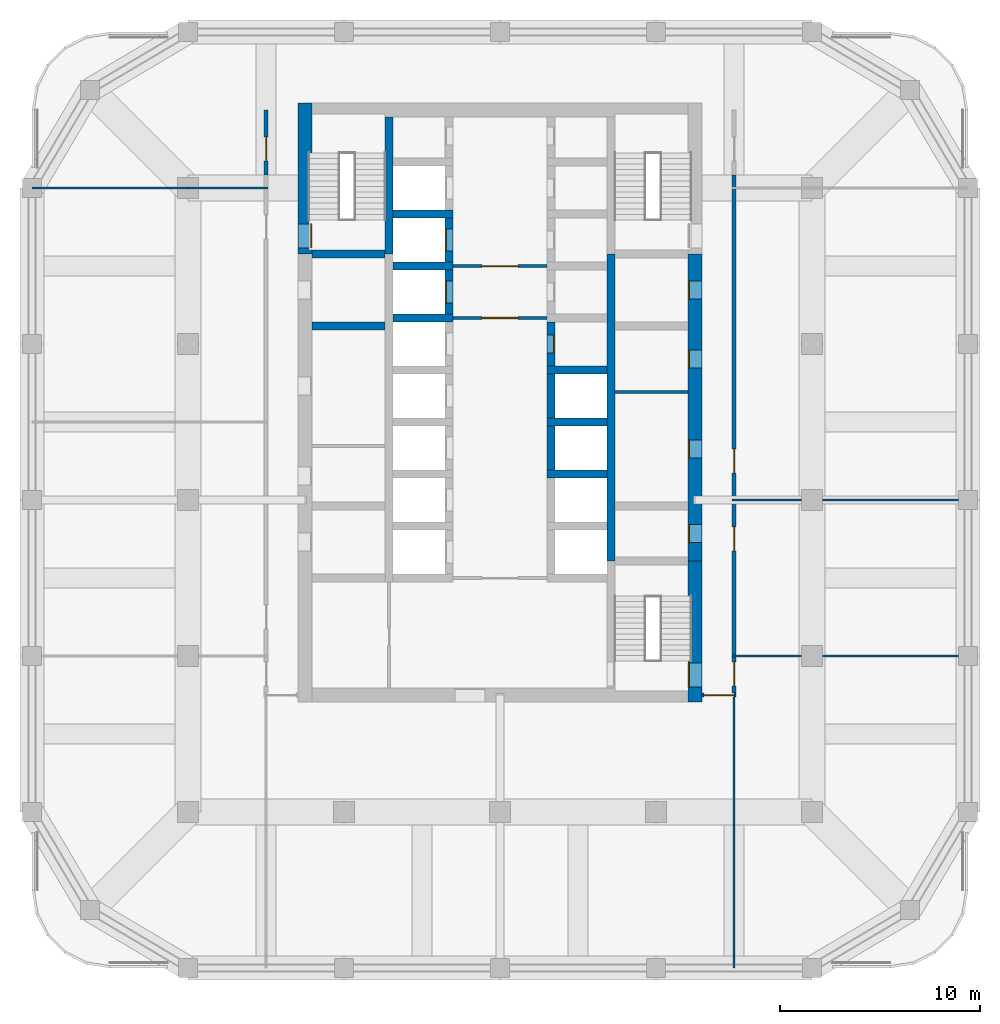
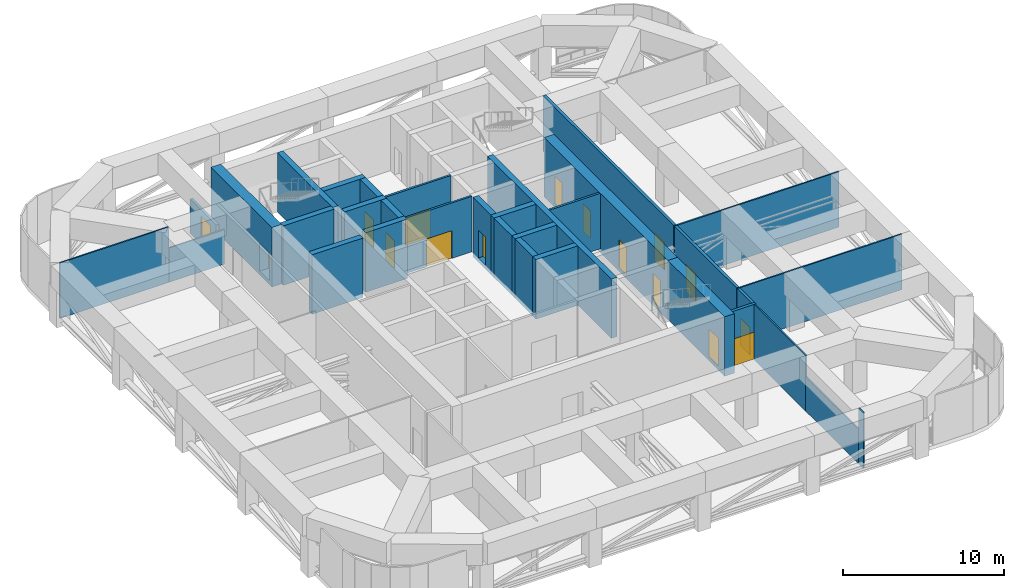
# One storey, part 4 of 9: 31 walls, 16 doors, 16 openings.
"""IFC4 building model written with IfcOpenShell, lengths in metres."""

import ifcopenshell
import ifcopenshell.guid

model = None  # the IFC model being written
_history = None  # IfcOwnerHistory: only IFC2X3 demands one
_inside = {}  # id of a spatial element -> (the spatial element, [elements in it])
_under = {}  # id of a project, library or spatial element -> (it, [spatial elements below it])
_declared = {}  # id of a project -> (the project, [libraries it declares])
_typed = {}  # id of a type object -> (the type object, [elements of that type])
_made_of = {}  # id of a material, layer set ... -> (it, [elements and type objects made of it])


def new_model(schema):
    """Start an empty IFC model of exactly this schema.

    Asked for "IFC4X3", IfcOpenShell would pick the latest addendum, in which some entities
    have other attributes; the version numbers below select the first issue.
    IFC2X3 requires an IfcOwnerHistory on every rooted entity: one is made here for all.
    """
    global model, _history
    if schema == "IFC4X3":
        model = ifcopenshell.file(schema_version=(4, 3, 0, 0))
    else:
        model = ifcopenshell.file(schema=schema)
    _inside.clear()
    _under.clear()
    _declared.clear()
    _typed.clear()
    _made_of.clear()
    _history = None
    if model.schema == "IFC2X3":
        org = make("IfcOrganization", Name="unknown")
        user = make(
            "IfcPersonAndOrganization",
            ThePerson=make("IfcPerson", FamilyName="unknown"),
            TheOrganization=org,
        )
        app = make(
            "IfcApplication",
            ApplicationDeveloper=org,
            Version="unknown",
            ApplicationFullName="unknown",
            ApplicationIdentifier="unknown",
        )
        _history = make(
            "IfcOwnerHistory",
            OwningUser=user,
            OwningApplication=app,
            ChangeAction="ADDED",
            CreationDate=0,
        )
    return model


def make(cls, **values):
    """One entity of the class cls with the attributes given. An attribute that is None is left unset."""
    return model.create_entity(
        cls, **{name: value for name, value in values.items() if value is not None}
    )


def rooted(cls, **values):
    """An entity with a GlobalId (a new one), such as an element, a storey or a relation."""
    return make(cls, GlobalId=ifcopenshell.guid.new(), OwnerHistory=_history, **values)


def si_unit(unit_type, name, prefix=None):
    """IfcSIUnit, for example si_unit("LENGTHUNIT", "METRE", prefix="MILLI")."""
    return make("IfcSIUnit", UnitType=unit_type, Prefix=prefix, Name=name)


def assignment(units):
    """IfcUnitAssignment: the units of a project."""
    return None if units is None else make("IfcUnitAssignment", Units=units)


def point(xyz):
    """IfcCartesianPoint."""
    return None if xyz is None else make("IfcCartesianPoint", Coordinates=xyz)


def direction(xyz):
    """IfcDirection."""
    return None if xyz is None else make("IfcDirection", DirectionRatios=xyz)


def frame(location, z_axis=None, x_axis=None):
    """IfcAxis2Placement3D, a coordinate frame: its origin and axes. An axis left out is left unset."""
    return make(
        "IfcAxis2Placement3D",
        Location=point(location),
        Axis=direction(z_axis),
        RefDirection=direction(x_axis),
    )


def frame_2d(location, x_axis=None):
    """IfcAxis2Placement2D, a coordinate frame in the plane: its origin and x axis."""
    return make(
        "IfcAxis2Placement2D", Location=point(location), RefDirection=direction(x_axis)
    )


def origin():
    """The frame at (0, 0, 0) with its axes left unset."""
    return frame((0.0, 0.0, 0.0))


def place(relative_to, where):
    """IfcLocalPlacement: puts the frame where relative to a parent placement (None: the world)."""
    return make(
        "IfcLocalPlacement", PlacementRelTo=relative_to, RelativePlacement=where
    )


def context(
    kind, dimensions, precision=None, world=None, true_north=None, identifier=None
):
    """IfcGeometricRepresentationContext, for example the 3D "Model" context."""
    return make(
        "IfcGeometricRepresentationContext",
        ContextIdentifier=identifier,
        ContextType=kind,
        CoordinateSpaceDimension=dimensions,
        Precision=precision,
        WorldCoordinateSystem=world,
        TrueNorth=true_north,
    )


def subcontext(parent, identifier, kind, view, scale=None):
    """IfcGeometricRepresentationSubContext, for example "Body" below "Model"."""
    return make(
        "IfcGeometricRepresentationSubContext",
        ContextIdentifier=identifier,
        ContextType=kind,
        ParentContext=parent,
        TargetScale=scale,
        TargetView=view,
    )


def project(units=None, contexts=None):
    """IfcProject with its units and contexts."""
    return rooted(
        "IfcProject",
        Name="project",
        RepresentationContexts=contexts,
        UnitsInContext=assignment(units),
    )


def spatial(cls, under=None, at=None, **own):
    """A site, building, storey or space (cls), placed at a placement, below another one or the project."""
    s = rooted(cls, ObjectPlacement=at, **own)
    if under is not None:
        _under.setdefault(under.id(), (under, []))[1].append(s)
    return s


def profile(cls, at=None, kind="AREA", **sizes):
    """A parametric profile (cls). Its sizes go by their IFC names, for example OverallWidth=200.0."""
    return make(cls, ProfileType=kind, Position=at, **sizes)


def rectangle(**sizes):
    """IfcRectangleProfileDef."""
    return profile("IfcRectangleProfileDef", **sizes)


def extrude(swept, where, along, depth):
    """IfcExtrudedAreaSolid: the profile swept, set in the frame where, extruded along a direction by depth."""
    return make(
        "IfcExtrudedAreaSolid",
        SweptArea=swept,
        Position=where,
        ExtrudedDirection=direction(along),
        Depth=depth,
    )


def shape(context_of_items, identifier, shape_type, items):
    """IfcShapeRepresentation: the items that make up one representation, for example the "Body"."""
    return make(
        "IfcShapeRepresentation",
        ContextOfItems=context_of_items,
        RepresentationIdentifier=identifier,
        RepresentationType=shape_type,
        Items=items,
    )


def material(Name=None, Category=None):
    """IfcMaterial."""
    return make("IfcMaterial", Name=Name, Category=Category)


def layer(
    of_material, thickness, ventilated=None, Name=None, Category=None, Priority=None
):
    """IfcMaterialLayer: one layer of a wall or slab, of a material (None: an air gap)."""
    return make(
        "IfcMaterialLayer",
        Material=of_material,
        LayerThickness=thickness,
        IsVentilated=ventilated,
        Name=Name,
        Category=Category,
        Priority=Priority,
    )


def layer_set(layers, Name=None):
    """IfcMaterialLayerSet."""
    return make("IfcMaterialLayerSet", MaterialLayers=layers, LayerSetName=Name)


def made_of(thing, what):
    """Note that an element or type object is made of a material, layer set ...; save() writes the relation."""
    if what is not None:
        _made_of.setdefault(what.id(), (what, []))[1].append(thing)
    return thing


def type_object(cls, material=None, **own):
    """A type object (cls), such as IfcWallType, which elements share."""
    return made_of(rooted(cls, **own), material)


def element(
    cls,
    number,
    at=None,
    inside=None,
    cuts=None,
    type_object=None,
    material=None,
    context=None,
    identifier="Body",
    shape_type=None,
    held_by="IfcProductDefinitionShape",
    body=None,
    shapes=None,
    **own,
):
    """One element of the class cls, such as IfcWall. Its Tag is "e" and its number.

    at: its placement. inside: the storey or other place that contains it. cuts: it is an
    opening in that element (IfcRelVoidsElement). A single representation is given by context,
    identifier, shape_type and body (its items); several are given by shapes. held_by: the class
    of the entity that holds the representations. save() writes the other relations.
    """
    e = rooted(cls, Tag="e%d" % number, ObjectPlacement=at, **own)
    if body is not None:
        shapes = [shape(context, identifier, shape_type, body)]
    if shapes is not None:
        e.Representation = make(held_by, Representations=shapes)
    if inside is not None:
        _inside.setdefault(inside.id(), (inside, []))[1].append(e)
    if cuts is not None:
        rooted(
            "IfcRelVoidsElement", RelatingBuildingElement=cuts, RelatedOpeningElement=e
        )
    if type_object is not None:
        _typed.setdefault(type_object.id(), (type_object, []))[1].append(e)
    return made_of(e, material)


def fill(opening, filler):
    """IfcRelFillsElement: the door or window that sits in an opening."""
    return rooted(
        "IfcRelFillsElement",
        RelatingOpeningElement=opening,
        RelatedBuildingElement=filler,
    )


def aggregate(whole, parts):
    """IfcRelAggregates: a whole, such as a stair, and the parts it consists of."""
    return rooted("IfcRelAggregates", RelatingObject=whole, RelatedObjects=parts)


def save(model, path):
    """Write the relations noted so far, then the file.

    IfcRelAggregates (storeys below a building ...), IfcRelContainedInSpatialStructure (elements
    in a storey), IfcRelDefinesByType, IfcRelAssociatesMaterial and IfcRelDeclares: one each for
    every whole, place, type object, material and project.
    """
    for whole, parts in _under.values():
        aggregate(whole, parts)
    for where, things in _inside.values():
        rooted(
            "IfcRelContainedInSpatialStructure",
            RelatedElements=things,
            RelatingStructure=where,
        )
    for kind, things in _typed.values():
        rooted("IfcRelDefinesByType", RelatedObjects=things, RelatingType=kind)
    for what, things in _made_of.values():
        rooted("IfcRelAssociatesMaterial", RelatedObjects=things, RelatingMaterial=what)
    for by, libraries in _declared.values():
        rooted("IfcRelDeclares", RelatingContext=by, RelatedDefinitions=libraries)
    model.write(path)


model = new_model("IFC4")

# Units and contexts
model_context = context("Model", 3, precision=1e-05, world=origin(), true_north=direction((0.0, 1.0)))
body_context = subcontext(model_context, "Body", "Model", "MODEL_VIEW")
ifc_project = project(units=[si_unit("LENGTHUNIT", "METRE"), si_unit("AREAUNIT", "SQUARE_METRE"), si_unit("VOLUMEUNIT", "CUBIC_METRE"), si_unit("PLANEANGLEUNIT", "RADIAN"), si_unit("MASSUNIT", "GRAM", prefix="KILO")], contexts=[model_context])

# Site, building, storey
site_placement = place(None, origin())
site = spatial("IfcSite", under=ifc_project, at=site_placement, CompositionType="ELEMENT")
building_placement = place(site_placement, origin())
building = spatial("IfcBuilding", under=site, at=building_placement, Name="Ludao Terraces", CompositionType="ELEMENT")
storey_placement = place(building_placement, frame((0.0, 0.0, 95.39990234375)))
storey = spatial("IfcBuildingStorey", under=building, at=storey_placement, Name="L26", CompositionType="ELEMENT", Elevation=95.39990234375)

# Wall, opening, door
ifc_material_1 = material(Name="Concrete C70", Category="concrete")
ifc_layer_1 = layer(ifc_material_1, 0.699951171875)
ifc_layer_set_1 = layer_set([ifc_layer_1], Name="Core wall 700 C70")
wall_type_1 = type_object("IfcWallType", Name="Core wall 700 C70", PredefinedType="SOLIDWALL", material=ifc_layer_set_1)
wall_1_placement = place(storey_placement, frame((75.25, 77.300048828125, -0.2998046875), z_axis=(0.0, 0.0, 1.0), x_axis=(0.0, 1.0, 0.0)))
wall_1 = element("IfcWall", 1, at=wall_1_placement, inside=storey, type_object=wall_type_1, Name="Core wall L26 outer-W-S1", PredefinedType="SOLIDWALL", context=body_context, shape_type="SweptSolid", body=[
    extrude(rectangle(XDim=7.550048828125, YDim=0.699951171875, at=frame_2d((3.77490234375, 0.0))), origin(), (0.0, 0.0, 1.0), 4.5),
])
opening_1_placement = place(wall_1_placement, frame((0.300048828125, 0.0, 0.300048828125)))
opening_1 = element("IfcOpeningElement", 2, at=opening_1_placement, cuts=wall_1, Name="Opening L26-033", PredefinedType="OPENING", context=body_context, shape_type="SweptSolid", body=[
    extrude(rectangle(XDim=1.199951171875, YDim=2.10009765625, at=frame_2d((0.60009765625, 1.050048828125))), frame((0.0, 0.35986328125, 0.0), z_axis=(0.0, -1.0, 0.0), x_axis=(1.0, 0.0, 0.0)), (0.0, 0.0, 1.0), 0.719970703125),
])
ifc_material_2 = material(Name="Steel Q235", Category="steel")
door_type_1 = type_object("IfcDoorType", Name="INT Stair door 1200", OperationType="DOUBLE_DOOR_SINGLE_SWING", PredefinedType="DOOR", material=ifc_material_2)
door_1_placement = place(opening_1_placement, origin())
door_1 = element("IfcDoor", 3, at=door_1_placement, inside=storey, type_object=door_type_1, Name="DOOR 033", OperationType="DOUBLE_DOOR_SINGLE_SWING", OverallHeight=2.10009765625, OverallWidth=1.199951171875, PredefinedType="DOOR", context=body_context, shape_type="SweptSolid", body=[
    extrude(rectangle(XDim=1.199951171875, YDim=2.10009765625, at=frame_2d((0.60009765625, 1.050048828125))), frame((0.0, -0.28515625, 0.0), z_axis=(0.0, -1.0, 0.0), x_axis=(1.0, 0.0, 0.0)), (0.0, 0.0, 1.0), 0.050048828125),
])
fill(opening_1, door_1)

wall_2_placement = place(storey_placement, frame((94.75, 54.89990234375, -0.2998046875), z_axis=(0.0, 0.0, 1.0), x_axis=(0.0, 1.0, 0.0)))
wall_2 = element("IfcWall", 4, at=wall_2_placement, inside=storey, type_object=wall_type_1, Name="Core wall L26 outer-E-S3", PredefinedType="SOLIDWALL", context=body_context, shape_type="SweptSolid", body=[
    extrude(rectangle(XDim=7.050048828125, YDim=0.699951171875, at=frame_2d((3.52490234375, 0.0))), origin(), (0.0, 0.0, 1.0), 4.5),
])
opening_2_placement = place(wall_2_placement, frame((0.75, 0.0, 0.300048828125)))
opening_2 = element("IfcOpeningElement", 5, at=opening_2_placement, cuts=wall_2, Name="Opening L26-005", PredefinedType="OPENING", context=body_context, shape_type="SweptSolid", body=[
    extrude(rectangle(XDim=1.199951171875, YDim=2.10009765625, at=frame_2d((0.60009765625, 1.050048828125))), frame((0.0, 0.35986328125, 0.0), z_axis=(0.0, -1.0, 0.0), x_axis=(1.0, 0.0, 0.0)), (0.0, 0.0, 1.0), 0.719970703125),
])
door_2_placement = place(opening_2_placement, origin())
door_2 = element("IfcDoor", 6, at=door_2_placement, inside=storey, type_object=door_type_1, Name="DOOR 005", OperationType="DOUBLE_DOOR_SINGLE_SWING", OverallHeight=2.10009765625, OverallWidth=1.199951171875, PredefinedType="DOOR", context=body_context, shape_type="SweptSolid", body=[
    extrude(rectangle(XDim=1.199951171875, YDim=2.10009765625, at=frame_2d((0.60009765625, 1.050048828125))), frame((0.0, 0.3349609375, 0.0), z_axis=(0.0, -1.0, 0.0), x_axis=(1.0, 0.0, 0.0)), (0.0, 0.0, 1.0), 0.050048828125),
])
fill(opening_2, door_2)

# Wall, openings, doors
wall_3_placement = place(storey_placement, frame((94.75, 61.949951171875, -0.2998046875), z_axis=(0.0, 0.0, 1.0), x_axis=(0.0, 1.0, 0.0)))
wall_3 = element("IfcWall", 7, at=wall_3_placement, inside=storey, type_object=wall_type_1, Name="Core wall L26 outer-E", PredefinedType="SOLIDWALL", context=body_context, shape_type="SweptSolid", body=[
    extrude(rectangle(XDim=15.35009765625, YDim=0.699951171875, at=frame_2d((7.675048828125, 0.0))), origin(), (0.0, 0.0, 1.0), 4.5),
])
opening_3_placement = place(wall_3_placement, frame((0.925048828125, 0.0, 0.300048828125)))
opening_3 = element("IfcOpeningElement", 8, at=opening_3_placement, cuts=wall_3, Name="Opening L26-014", PredefinedType="OPENING", context=body_context, shape_type="SweptSolid", body=[
    extrude(rectangle(XDim=0.89990234375, YDim=2.10009765625, at=frame_2d((0.449951171875, 1.050048828125))), frame((0.0, 0.35986328125, 0.0), z_axis=(0.0, -1.0, 0.0), x_axis=(1.0, 0.0, 0.0)), (0.0, 0.0, 1.0), 0.719970703125),
])
opening_4_placement = place(wall_3_placement, frame((5.14990234375, 0.0, 0.300048828125)))
opening_4 = element("IfcOpeningElement", 9, at=opening_4_placement, cuts=wall_3, Name="Opening L26-018", PredefinedType="OPENING", context=body_context, shape_type="SweptSolid", body=[
    extrude(rectangle(XDim=0.89990234375, YDim=2.10009765625, at=frame_2d((0.449951171875, 1.050048828125))), frame((0.0, 0.35986328125, 0.0), z_axis=(0.0, -1.0, 0.0), x_axis=(1.0, 0.0, 0.0)), (0.0, 0.0, 1.0), 0.719970703125),
])
opening_5_placement = place(wall_3_placement, frame((9.64990234375, 0.0, 0.300048828125)))
opening_5 = element("IfcOpeningElement", 10, at=opening_5_placement, cuts=wall_3, Name="Opening L26-022", PredefinedType="OPENING", context=body_context, shape_type="SweptSolid", body=[
    extrude(rectangle(XDim=0.89990234375, YDim=2.10009765625, at=frame_2d((0.449951171875, 1.050048828125))), frame((0.0, 0.35986328125, 0.0), z_axis=(0.0, -1.0, 0.0), x_axis=(1.0, 0.0, 0.0)), (0.0, 0.0, 1.0), 0.719970703125),
])
opening_6_placement = place(wall_3_placement, frame((13.10009765625, 0.0, 0.300048828125)))
opening_6 = element("IfcOpeningElement", 11, at=opening_6_placement, cuts=wall_3, Name="Opening L26-029", PredefinedType="OPENING", context=body_context, shape_type="SweptSolid", body=[
    extrude(rectangle(XDim=0.89990234375, YDim=2.10009765625, at=frame_2d((0.449951171875, 1.050048828125))), frame((0.0, 0.35986328125, 0.0), z_axis=(0.0, -1.0, 0.0), x_axis=(1.0, 0.0, 0.0)), (0.0, 0.0, 1.0), 0.719970703125),
])
door_type_2 = type_object("IfcDoorType", Name="INT Riser door 900", OperationType="SINGLE_SWING_LEFT", PredefinedType="DOOR", material=ifc_material_2)
door_3_placement = place(opening_3_placement, origin())
door_3 = element("IfcDoor", 12, at=door_3_placement, inside=storey, type_object=door_type_2, Name="DOOR 014", OperationType="SINGLE_SWING_LEFT", OverallHeight=2.10009765625, OverallWidth=0.89990234375, PredefinedType="DOOR", context=body_context, shape_type="SweptSolid", body=[
    extrude(rectangle(XDim=0.89990234375, YDim=2.10009765625, at=frame_2d((0.449951171875, 1.050048828125))), frame((0.0, 0.3349609375, 0.0), z_axis=(0.0, -1.0, 0.0), x_axis=(1.0, 0.0, 0.0)), (0.0, 0.0, 1.0), 0.050048828125),
])
fill(opening_3, door_3)
door_4_placement = place(opening_6_placement, origin())
door_4 = element("IfcDoor", 13, at=door_4_placement, inside=storey, type_object=door_type_2, Name="DOOR 029", OperationType="SINGLE_SWING_LEFT", OverallHeight=2.10009765625, OverallWidth=0.89990234375, PredefinedType="DOOR", context=body_context, shape_type="SweptSolid", body=[
    extrude(rectangle(XDim=0.89990234375, YDim=2.10009765625, at=frame_2d((0.449951171875, 1.050048828125))), frame((0.0, 0.3349609375, 0.0), z_axis=(0.0, -1.0, 0.0), x_axis=(1.0, 0.0, 0.0)), (0.0, 0.0, 1.0), 0.050048828125),
])
fill(opening_6, door_4)
ifc_material_3 = material(Name="Timber door leaf", Category="wood")
door_type_3 = type_object("IfcDoorType", Name="INT Room door 900", OperationType="SINGLE_SWING_LEFT", PredefinedType="DOOR", material=ifc_material_3)
door_5_placement = place(opening_4_placement, origin())
door_5 = element("IfcDoor", 14, at=door_5_placement, inside=storey, type_object=door_type_3, Name="DOOR 018", OperationType="SINGLE_SWING_LEFT", OverallHeight=2.10009765625, OverallWidth=0.89990234375, PredefinedType="DOOR", context=body_context, shape_type="SweptSolid", body=[
    extrude(rectangle(XDim=0.89990234375, YDim=2.10009765625, at=frame_2d((0.449951171875, 1.050048828125))), frame((0.0, 0.3349609375, 0.0), z_axis=(0.0, -1.0, 0.0), x_axis=(1.0, 0.0, 0.0)), (0.0, 0.0, 1.0), 0.050048828125),
])
fill(opening_4, door_5)
door_6_placement = place(opening_5_placement, origin())
door_6 = element("IfcDoor", 15, at=door_6_placement, inside=storey, type_object=door_type_3, Name="DOOR 022", OperationType="SINGLE_SWING_RIGHT", OverallHeight=2.10009765625, OverallWidth=0.89990234375, PredefinedType="DOOR", context=body_context, shape_type="SweptSolid", body=[
    extrude(rectangle(XDim=0.89990234375, YDim=2.10009765625, at=frame_2d((0.449951171875, 1.050048828125))), frame((0.0, 0.3349609375, 0.0), z_axis=(0.0, -1.0, 0.0), x_axis=(1.0, 0.0, 0.0)), (0.0, 0.0, 1.0), 0.050048828125),
])
fill(opening_5, door_6)

# Wall
ifc_material_4 = material(Name="Fire-rated gypsum plasterboard", Category="gypsum")
ifc_layer_2 = layer(ifc_material_4, 0.012451171875, Category="gypsum")
ifc_material_5 = material(Name="Mineral wool")
ifc_layer_3 = layer(ifc_material_5, 0.10009765625, Name="insulation")
ifc_layer_4 = layer(ifc_material_2, 0.02490234375, Name="stud")
ifc_layer_5 = layer(ifc_material_4, 0.012451171875, Category="gypsum")
ifc_layer_set_2 = layer_set([ifc_layer_2, ifc_layer_3, ifc_layer_4, ifc_layer_5], Name="INT Core partition 150")
wall_type_2 = type_object("IfcWallType", Name="INT Core partition 150", PredefinedType="PARTITIONING", material=ifc_layer_set_2)
wall_4_placement = place(storey_placement, frame((90.75, 70.39990234375, 0.0), z_axis=(0.0, 0.0, 1.0), x_axis=(1.0, 0.0, 0.0)))
element("IfcWall", 16, at=wall_4_placement, inside=storey, type_object=wall_type_2, Name="PW-L26-PW008", PredefinedType="PARTITIONING", context=body_context, shape_type="SweptSolid", body=[
    extrude(rectangle(XDim=3.650146484375, YDim=0.14990234375, at=frame_2d((1.8251953125, 0.0))), origin(), (0.0, 0.0, 1.0), 4.2001953125),
])

# Wall, opening, door
wall_5_placement = place(storey_placement, frame((82.650146484375, 74.10009765625, 0.0), z_axis=(0.0, 0.0, 1.0), x_axis=(1.0, 0.0, 0.0)))
wall_5 = element("IfcWall", 17, at=wall_5_placement, inside=storey, type_object=wall_type_2, Name="PW-L26-PW009", PredefinedType="PARTITIONING", context=body_context, shape_type="SweptSolid", body=[
    extrude(rectangle(XDim=4.699951171875, YDim=0.14990234375, at=frame_2d((2.35009765625, 0.0))), origin(), (0.0, 0.0, 1.0), 4.2001953125),
])
opening_7_placement = place(wall_5_placement, frame((1.449951171875, 0.0, 0.0)))
opening_7 = element("IfcOpeningElement", 18, at=opening_7_placement, cuts=wall_5, Name="Opening L26-025", PredefinedType="OPENING", context=body_context, shape_type="SweptSolid", body=[
    extrude(rectangle(XDim=1.800048828125, YDim=2.10009765625, at=frame_2d((0.89990234375, 1.050048828125))), frame((0.0, 0.0849609375, 0.0), z_axis=(0.0, -1.0, 0.0), x_axis=(1.0, 0.0, 0.0)), (0.0, 0.0, 1.0), 0.169921875),
])
door_type_4 = type_object("IfcDoorType", Name="INT Fire lobby door 1800", OperationType="DOUBLE_DOOR_SINGLE_SWING", PredefinedType="DOOR", material=ifc_material_2)
door_7_placement = place(opening_7_placement, origin())
door_7 = element("IfcDoor", 19, at=door_7_placement, inside=storey, type_object=door_type_4, Name="DOOR 025", OperationType="DOUBLE_DOOR_SINGLE_SWING", OverallHeight=2.10009765625, OverallWidth=1.800048828125, PredefinedType="DOOR", context=body_context, shape_type="SweptSolid", body=[
    extrude(rectangle(XDim=1.800048828125, YDim=2.10009765625, at=frame_2d((0.89990234375, 1.050048828125))), frame((0.0, 0.02490234375, 0.0), z_axis=(0.0, -1.0, 0.0), x_axis=(1.0, 0.0, 0.0)), (0.0, 0.0, 1.0), 0.050048828125),
])
fill(opening_7, door_7)

wall_6_placement = place(storey_placement, frame((82.650146484375, 76.699951171875, 0.0), z_axis=(0.0, 0.0, 1.0), x_axis=(1.0, 0.0, 0.0)))
wall_6 = element("IfcWall", 20, at=wall_6_placement, inside=storey, type_object=wall_type_2, Name="PW-L26-PW010", PredefinedType="PARTITIONING", context=body_context, shape_type="SweptSolid", body=[
    extrude(rectangle(XDim=4.699951171875, YDim=0.14990234375, at=frame_2d((2.35009765625, 0.0))), origin(), (0.0, 0.0, 1.0), 4.2001953125),
])
opening_8_placement = place(wall_6_placement, frame((1.449951171875, 0.0, 0.0)))
opening_8 = element("IfcOpeningElement", 21, at=opening_8_placement, cuts=wall_6, Name="Opening L26-030", PredefinedType="OPENING", context=body_context, shape_type="SweptSolid", body=[
    extrude(rectangle(XDim=1.800048828125, YDim=2.10009765625, at=frame_2d((0.89990234375, 1.050048828125))), frame((0.0, 0.0849609375, 0.0), z_axis=(0.0, -1.0, 0.0), x_axis=(1.0, 0.0, 0.0)), (0.0, 0.0, 1.0), 0.169921875),
])
door_8_placement = place(opening_8_placement, origin())
door_8 = element("IfcDoor", 22, at=door_8_placement, inside=storey, type_object=door_type_4, Name="DOOR 030", OperationType="DOUBLE_DOOR_SINGLE_SWING", OverallHeight=2.10009765625, OverallWidth=1.800048828125, PredefinedType="DOOR", context=body_context, shape_type="SweptSolid", body=[
    extrude(rectangle(XDim=1.800048828125, YDim=2.10009765625, at=frame_2d((0.89990234375, 1.050048828125))), frame((0.0, 0.02490234375, 0.0), z_axis=(0.0, -1.0, 0.0), x_axis=(1.0, 0.0, 0.0)), (0.0, 0.0, 1.0), 0.050048828125),
])
fill(opening_8, door_8)

ifc_material_6 = material(Name="Autoclaved aerated concrete block B06 A3.5", Category="concrete")
ifc_layer_6 = layer(ifc_material_6, 0.199951171875)
ifc_layer_set_3 = layer_set([ifc_layer_6], Name="INT Entrance wall 200")
wall_type_3 = type_object("IfcWallType", Name="INT Entrance wall 200", PredefinedType="PARTITIONING", material=ifc_layer_set_3)
wall_7_placement = place(storey_placement, frame((95.10009765625, 55.25, 0.0), z_axis=(0.0, 0.0, 1.0), x_axis=(1.0, 0.0, 0.0)))
wall_7 = element("IfcWall", 23, at=wall_7_placement, inside=storey, type_object=wall_type_3, Name="PW-L26-PW001", PredefinedType="PARTITIONING", context=body_context, shape_type="SweptSolid", body=[
    extrude(rectangle(XDim=1.699951171875, YDim=0.199951171875, at=frame_2d((0.85009765625, 0.0))), origin(), (0.0, 0.0, 1.0), 4.2001953125),
])
opening_9_placement = place(wall_7_placement, frame((0.10009765625, 0.0, 0.0)))
opening_9 = element("IfcOpeningElement", 24, at=opening_9_placement, cuts=wall_7, Name="Opening L26-003", PredefinedType="OPENING", context=body_context, shape_type="SweptSolid", body=[
    extrude(rectangle(XDim=1.5, YDim=2.10009765625, at=frame_2d((0.75, 1.050048828125))), frame((0.0, 0.10986328125, 0.0), z_axis=(0.0, -1.0, 0.0), x_axis=(1.0, 0.0, 0.0)), (0.0, 0.0, 1.0), 0.219970703125),
])
door_type_5 = type_object("IfcDoorType", Name="INT Lobby door 1500", OperationType="DOUBLE_DOOR_SINGLE_SWING", PredefinedType="DOOR", material=ifc_material_2)
door_9_placement = place(opening_9_placement, origin())
door_9 = element("IfcDoor", 25, at=door_9_placement, inside=storey, type_object=door_type_5, Name="DOOR 003", OperationType="DOUBLE_DOOR_SINGLE_SWING", OverallHeight=2.10009765625, OverallWidth=1.5, PredefinedType="DOOR", context=body_context, shape_type="SweptSolid", body=[
    extrude(rectangle(XDim=1.5, YDim=2.10009765625, at=frame_2d((0.75, 1.050048828125))), frame((0.0, 0.02490234375, 0.0), z_axis=(0.0, -1.0, 0.0), x_axis=(1.0, 0.0, 0.0)), (0.0, 0.0, 1.0), 0.050048828125),
])
fill(opening_9, door_9)

wall_8_placement = place(storey_placement, frame((73.300048828125, 81.25, 0.0), z_axis=(0.0, 0.0, 1.0), x_axis=(0.0, 1.0, 0.0)))
wall_8 = element("IfcWall", 26, at=wall_8_placement, inside=storey, type_object=wall_type_3, Name="PW-L26-PW014-2", PredefinedType="PARTITIONING", context=body_context, shape_type="SweptSolid", body=[
    extrude(rectangle(XDim=3.25, YDim=0.199951171875, at=frame_2d((1.625, 0.0))), origin(), (0.0, 0.0, 1.0), 2.60009765625),
])
opening_10_placement = place(wall_8_placement, frame((0.7001953125, 0.0, 0.0)))
opening_10 = element("IfcOpeningElement", 27, at=opening_10_placement, cuts=wall_8, Name="Opening L26-038", PredefinedType="OPENING", context=body_context, shape_type="SweptSolid", body=[
    extrude(rectangle(XDim=1.199951171875, YDim=2.10009765625, at=frame_2d((0.60009765625, 1.050048828125))), frame((0.0, 0.10986328125, 0.0), z_axis=(0.0, -1.0, 0.0), x_axis=(1.0, 0.0, 0.0)), (0.0, 0.0, 1.0), 0.219970703125),
])
door_type_6 = type_object("IfcDoorType", Name="INT Double door 1200", OperationType="DOUBLE_DOOR_SINGLE_SWING", PredefinedType="DOOR", material=ifc_material_3)
door_10_placement = place(opening_10_placement, origin())
door_10 = element("IfcDoor", 28, at=door_10_placement, inside=storey, type_object=door_type_6, Name="DOOR 038", OperationType="DOUBLE_DOOR_SINGLE_SWING", OverallHeight=2.10009765625, OverallWidth=1.199951171875, PredefinedType="DOOR", context=body_context, shape_type="SweptSolid", body=[
    extrude(rectangle(XDim=1.199951171875, YDim=2.10009765625, at=frame_2d((0.60009765625, 1.050048828125))), frame((0.0, 0.02490234375, 0.0), z_axis=(0.0, -1.0, 0.0), x_axis=(1.0, 0.0, 0.0)), (0.0, 0.0, 1.0), 0.050048828125),
])
fill(opening_10, door_10)

# Wall, openings, doors
wall_9_placement = place(storey_placement, frame((96.699951171875, 55.35009765625, 0.0), z_axis=(0.0, 0.0, 1.0), x_axis=(0.0, 1.0, 0.0)))
wall_9 = element("IfcWall", 29, at=wall_9_placement, inside=storey, type_object=wall_type_3, Name="PW-L26-PW017", PredefinedType="PARTITIONING", context=body_context, shape_type="SweptSolid", body=[
    extrude(rectangle(XDim=25.89990234375, YDim=0.199951171875, at=frame_2d((12.949951171875, 0.0))), origin(), (0.0, 0.0, 1.0), 4.2001953125),
])
opening_11_placement = place(wall_9_placement, frame((0.35009765625, 0.0, 0.0)))
opening_11 = element("IfcOpeningElement", 30, at=opening_11_placement, cuts=wall_9, Name="Opening L26-007", PredefinedType="OPENING", context=body_context, shape_type="SweptSolid", body=[
    extrude(rectangle(XDim=1.199951171875, YDim=2.10009765625, at=frame_2d((0.60009765625, 1.050048828125))), frame((0.0, 0.10986328125, 0.0), z_axis=(0.0, -1.0, 0.0), x_axis=(1.0, 0.0, 0.0)), (0.0, 0.0, 1.0), 0.219970703125),
])
opening_12_placement = place(wall_9_placement, frame((7.10009765625, 0.0, 0.0)))
opening_12 = element("IfcOpeningElement", 31, at=opening_12_placement, cuts=wall_9, Name="Opening L26-013", PredefinedType="OPENING", context=body_context, shape_type="SweptSolid", body=[
    extrude(rectangle(XDim=1.199951171875, YDim=2.10009765625, at=frame_2d((0.60009765625, 1.050048828125))), frame((0.0, 0.10986328125, 0.0), z_axis=(0.0, -1.0, 0.0), x_axis=(1.0, 0.0, 0.0)), (0.0, 0.0, 1.0), 0.219970703125),
])
opening_13_placement = place(wall_9_placement, frame((11.0, 0.0, 0.0)))
opening_13 = element("IfcOpeningElement", 32, at=opening_13_placement, cuts=wall_9, Name="Opening L26-017", PredefinedType="OPENING", context=body_context, shape_type="SweptSolid", body=[
    extrude(rectangle(XDim=1.199951171875, YDim=2.10009765625, at=frame_2d((0.60009765625, 1.050048828125))), frame((0.0, 0.10986328125, 0.0), z_axis=(0.0, -1.0, 0.0), x_axis=(1.0, 0.0, 0.0)), (0.0, 0.0, 1.0), 0.219970703125),
])
door_11_placement = place(opening_11_placement, origin())
door_11 = element("IfcDoor", 33, at=door_11_placement, inside=storey, type_object=door_type_6, Name="DOOR 007", OperationType="DOUBLE_DOOR_SINGLE_SWING", OverallHeight=2.10009765625, OverallWidth=1.199951171875, PredefinedType="DOOR", context=body_context, shape_type="SweptSolid", body=[
    extrude(rectangle(XDim=1.199951171875, YDim=2.10009765625, at=frame_2d((0.60009765625, 1.050048828125))), frame((0.0, 0.02490234375, 0.0), z_axis=(0.0, -1.0, 0.0), x_axis=(1.0, 0.0, 0.0)), (0.0, 0.0, 1.0), 0.050048828125),
])
fill(opening_11, door_11)
door_12_placement = place(opening_12_placement, origin())
door_12 = element("IfcDoor", 34, at=door_12_placement, inside=storey, type_object=door_type_6, Name="DOOR 013", OperationType="DOUBLE_DOOR_SINGLE_SWING", OverallHeight=2.10009765625, OverallWidth=1.199951171875, PredefinedType="DOOR", context=body_context, shape_type="SweptSolid", body=[
    extrude(rectangle(XDim=1.199951171875, YDim=2.10009765625, at=frame_2d((0.60009765625, 1.050048828125))), frame((0.0, 0.02490234375, 0.0), z_axis=(0.0, -1.0, 0.0), x_axis=(1.0, 0.0, 0.0)), (0.0, 0.0, 1.0), 0.050048828125),
])
fill(opening_12, door_12)
door_13_placement = place(opening_13_placement, origin())
door_13 = element("IfcDoor", 35, at=door_13_placement, inside=storey, type_object=door_type_6, Name="DOOR 017", OperationType="DOUBLE_DOOR_SINGLE_SWING", OverallHeight=2.10009765625, OverallWidth=1.199951171875, PredefinedType="DOOR", context=body_context, shape_type="SweptSolid", body=[
    extrude(rectangle(XDim=1.199951171875, YDim=2.10009765625, at=frame_2d((0.60009765625, 1.050048828125))), frame((0.0, 0.02490234375, 0.0), z_axis=(0.0, -1.0, 0.0), x_axis=(1.0, 0.0, 0.0)), (0.0, 0.0, 1.0), 0.050048828125),
])
fill(opening_13, door_13)

# Walls
ifc_material_7 = material(Name="Gypsum plasterboard", Category="gypsum")
ifc_layer_7 = layer(ifc_material_7, 0.012451171875, Category="gypsum")
ifc_layer_8 = layer(ifc_material_5, 0.06005859375, Name="insulation")
ifc_layer_9 = layer(ifc_material_2, 0.014892578125, Name="stud")
ifc_layer_10 = layer(ifc_material_7, 0.012451171875, Category="gypsum")
ifc_layer_set_4 = layer_set([ifc_layer_7, ifc_layer_8, ifc_layer_9, ifc_layer_10], Name="INT Partition 100")
wall_type_4 = type_object("IfcWallType", Name="INT Partition 100", PredefinedType="PARTITIONING", material=ifc_layer_set_4)
for number, where, z_axis, x_axis, name in (
    (36, (96.60009765625, 57.199951171875, 0.0), (0.0, 0.0, 1.0), (1.0, 0.0, 0.0), "PW-L26-PW003"),
    (37, (96.60009765625, 65.0, 0.0), (0.0, 0.0, 1.0), (1.0, 0.0, 0.0), "PW-L26-PW005"),
):
    element("IfcWall", number, at=place(storey_placement, frame(where, z_axis=z_axis, x_axis=x_axis)), inside=storey, type_object=wall_type_4, Name=name, PredefinedType="PARTITIONING", context=body_context, shape_type="SweptSolid", body=[
        extrude(rectangle(XDim=11.800048828125, YDim=0.10009765625, at=frame_2d((5.89990234375, 0.0))), origin(), (0.0, 0.0, 1.0), 4.2001953125),
    ])
wall_10_placement = place(storey_placement, frame((61.60009765625, 80.60009765625, 0.0), z_axis=(0.0, 0.0, 1.0), x_axis=(1.0, 0.0, 0.0)))
element("IfcWall", 38, at=wall_10_placement, inside=storey, type_object=wall_type_4, Name="PW-L26-PW011", PredefinedType="PARTITIONING", context=body_context, shape_type="SweptSolid", body=[
    extrude(rectangle(XDim=7.7998046875, YDim=0.10009765625, at=frame_2d((3.89990234375, 0.0))), origin(), (0.0, 0.0, 1.0), 4.2001953125),
])
wall_11_placement = place(storey_placement, frame((69.39990234375, 80.60009765625, 0.0), z_axis=(0.0, 0.0, 1.0), x_axis=(1.0, 0.0, 0.0)))
element("IfcWall", 39, at=wall_11_placement, inside=storey, type_object=wall_type_4, Name="PW-L26-PW011-2", PredefinedType="PARTITIONING", context=body_context, shape_type="SweptSolid", body=[
    extrude(rectangle(XDim=4.000244140625, YDim=0.10009765625, at=frame_2d((2.0, 0.0))), origin(), (0.0, 0.0, 1.0), 2.60009765625),
])
wall_12_placement = place(storey_placement, frame((96.699951171875, 41.60009765625, 0.0), z_axis=(0.0, 0.0, 1.0), x_axis=(0.0, 1.0, 0.0)))
element("IfcWall", 40, at=wall_12_placement, inside=storey, type_object=wall_type_4, Name="PW-L26-PW016", PredefinedType="PARTITIONING", context=body_context, shape_type="SweptSolid", body=[
    extrude(rectangle(XDim=0.599853515625, YDim=0.10009765625, at=frame_2d((0.2998046875, 0.0))), origin(), (0.0, 0.0, 1.0), 4.2001953125),
])
wall_13_placement = place(storey_placement, frame((96.699951171875, 42.199951171875, 0.0), z_axis=(0.0, 0.0, 1.0), x_axis=(0.0, 1.0, 0.0)))
element("IfcWall", 41, at=wall_13_placement, inside=storey, type_object=wall_type_4, Name="PW-L26-PW016-2", PredefinedType="PARTITIONING", context=body_context, shape_type="SweptSolid", body=[
    extrude(rectangle(XDim=6.550048828125, YDim=0.10009765625, at=frame_2d((3.27490234375, 0.0))), origin(), (0.0, 0.0, 1.0), 2.60009765625),
])
wall_14_placement = place(storey_placement, frame((96.699951171875, 48.75, 0.0), z_axis=(0.0, 0.0, 1.0), x_axis=(0.0, 1.0, 0.0)))
element("IfcWall", 42, at=wall_14_placement, inside=storey, type_object=wall_type_4, Name="PW-L26-PW016-3", PredefinedType="PARTITIONING", context=body_context, shape_type="SweptSolid", body=[
    extrude(rectangle(XDim=6.400146484375, YDim=0.10009765625, at=frame_2d((3.2001953125, 0.0))), origin(), (0.0, 0.0, 1.0), 4.2001953125),
])
ifc_material_8 = material(Name="Concrete C60", Category="concrete")
ifc_layer_11 = layer(ifc_material_8, 0.39990234375)
ifc_layer_set_5 = layer_set([ifc_layer_11], Name="Shaft wall 400 C60")
wall_type_5 = type_object("IfcWallType", Name="Shaft wall 400 C60", PredefinedType="SOLIDWALL", material=ifc_layer_set_5)
wall_15_placement = place(storey_placement, frame((79.449951171875, 77.300048828125, -0.2998046875), z_axis=(0.0, 0.0, 1.0), x_axis=(0.0, 1.0, 0.0)))
element("IfcWall", 43, at=wall_15_placement, inside=storey, type_object=wall_type_5, Name="Core wall L26 back-W-S1", PredefinedType="SOLIDWALL", context=body_context, shape_type="SweptSolid", body=[
    extrude(rectangle(XDim=6.849853515625, YDim=0.39990234375, at=frame_2d((3.4248046875, 0.0))), origin(), (0.0, 0.0, 1.0), 4.5),
])
wall_16_placement = place(storey_placement, frame((90.550048828125, 61.949951171875, -0.2998046875), z_axis=(0.0, 0.0, 1.0), x_axis=(0.0, 1.0, 0.0)))
element("IfcWall", 44, at=wall_16_placement, inside=storey, type_object=wall_type_5, Name="Core wall L26 back-E", PredefinedType="SOLIDWALL", context=body_context, shape_type="SweptSolid", body=[
    extrude(rectangle(XDim=15.35009765625, YDim=0.39990234375, at=frame_2d((7.675048828125, 0.0))), origin(), (0.0, 0.0, 1.0), 4.5),
])
wall_17_placement = place(storey_placement, frame((79.64990234375, 74.10009765625, -0.2998046875), z_axis=(0.0, 0.0, 1.0), x_axis=(1.0, 0.0, 0.0)))
element("IfcWall", 45, at=wall_17_placement, inside=storey, type_object=wall_type_5, Name="Core wall L26 div-W6", PredefinedType="SOLIDWALL", context=body_context, shape_type="SweptSolid", body=[
    extrude(rectangle(XDim=3.0, YDim=0.39990234375, at=frame_2d((1.5, 0.0))), origin(), (0.0, 0.0, 1.0), 4.5),
])

# Wall, opening, door
wall_18_placement = place(storey_placement, frame((82.449951171875, 74.300048828125, -0.2998046875), z_axis=(0.0, 0.0, 1.0), x_axis=(0.0, 1.0, 0.0)))
wall_18 = element("IfcWall", 46, at=wall_18_placement, inside=storey, type_object=wall_type_5, Name="Core wall L26 front-W6", PredefinedType="SOLIDWALL", context=body_context, shape_type="SweptSolid", body=[
    extrude(rectangle(XDim=2.199951171875, YDim=0.39990234375, at=frame_2d((1.10009765625, 0.0))), origin(), (0.0, 0.0, 1.0), 4.5),
])
opening_14_placement = place(wall_18_placement, frame((0.550048828125, 0.0, 0.300048828125)))
opening_14 = element("IfcOpeningElement", 47, at=opening_14_placement, cuts=wall_18, Name="Opening LD-LA6", PredefinedType="OPENING", context=body_context, shape_type="SweptSolid", body=[
    extrude(rectangle(XDim=1.10009765625, YDim=2.10009765625, at=frame_2d((0.550048828125, 1.050048828125))), frame((0.0, 0.2099609375, 0.0), z_axis=(0.0, -1.0, 0.0), x_axis=(1.0, 0.0, 0.0)), (0.0, 0.0, 1.0), 0.419921875),
])
ifc_material_9 = material(Name="Stainless steel 304", Category="steel")
door_type_7 = type_object("IfcDoorType", Name="INT Lift landing door 1100", OperationType="SLIDING_TO_LEFT", PredefinedType="DOOR", material=ifc_material_9)
door_14_placement = place(opening_14_placement, origin())
door_14 = element("IfcDoor", 48, at=door_14_placement, inside=storey, type_object=door_type_7, Name="LANDING DOOR LA6 L26", OperationType="SLIDING_TO_LEFT", OverallHeight=2.10009765625, OverallWidth=1.10009765625, PredefinedType="DOOR", context=body_context, shape_type="SweptSolid", body=[
    extrude(rectangle(XDim=1.10009765625, YDim=2.10009765625, at=frame_2d((0.550048828125, 1.050048828125))), frame((0.0, 0.18505859375, 0.0), z_axis=(0.0, -1.0, 0.0), x_axis=(1.0, 0.0, 0.0)), (0.0, 0.0, 1.0), 0.050048828125),
])
fill(opening_14, door_14)

# Wall
wall_19_placement = place(storey_placement, frame((79.64990234375, 76.699951171875, -0.2998046875), z_axis=(0.0, 0.0, 1.0), x_axis=(1.0, 0.0, 0.0)))
element("IfcWall", 49, at=wall_19_placement, inside=storey, type_object=wall_type_5, Name="Core wall L26 div-W7", PredefinedType="SOLIDWALL", context=body_context, shape_type="SweptSolid", body=[
    extrude(rectangle(XDim=3.0, YDim=0.39990234375, at=frame_2d((1.5, 0.0))), origin(), (0.0, 0.0, 1.0), 4.5),
])

# Wall, opening, door
wall_20_placement = place(storey_placement, frame((82.449951171875, 76.89990234375, -0.2998046875), z_axis=(0.0, 0.0, 1.0), x_axis=(0.0, 1.0, 0.0)))
wall_20 = element("IfcWall", 50, at=wall_20_placement, inside=storey, type_object=wall_type_5, Name="Core wall L26 front-W7", PredefinedType="SOLIDWALL", context=body_context, shape_type="SweptSolid", body=[
    extrude(rectangle(XDim=2.2001953125, YDim=0.39990234375, at=frame_2d((1.10009765625, 0.0))), origin(), (0.0, 0.0, 1.0), 4.5),
])
opening_15_placement = place(wall_20_placement, frame((0.550048828125, 0.0, 0.300048828125)))
opening_15 = element("IfcOpeningElement", 51, at=opening_15_placement, cuts=wall_20, Name="Opening LD-FF1", PredefinedType="OPENING", context=body_context, shape_type="SweptSolid", body=[
    extrude(rectangle(XDim=1.10009765625, YDim=2.10009765625, at=frame_2d((0.550048828125, 1.050048828125))), frame((0.0, 0.2099609375, 0.0), z_axis=(0.0, -1.0, 0.0), x_axis=(1.0, 0.0, 0.0)), (0.0, 0.0, 1.0), 0.419921875),
])
door_15_placement = place(opening_15_placement, origin())
door_15 = element("IfcDoor", 52, at=door_15_placement, inside=storey, type_object=door_type_7, Name="LANDING DOOR FF1 L26", OperationType="SLIDING_TO_LEFT", OverallHeight=2.10009765625, OverallWidth=1.10009765625, PredefinedType="DOOR", context=body_context, shape_type="SweptSolid", body=[
    extrude(rectangle(XDim=1.10009765625, YDim=2.10009765625, at=frame_2d((0.550048828125, 1.050048828125))), frame((0.0, 0.18505859375, 0.0), z_axis=(0.0, -1.0, 0.0), x_axis=(1.0, 0.0, 0.0)), (0.0, 0.0, 1.0), 0.050048828125),
])
fill(opening_15, door_15)

# Walls
for number, where, z_axis, x_axis, name in (
    (53, (79.64990234375, 79.300048828125, -0.2998046875), (0.0, 0.0, 1.0), (1.0, 0.0, 0.0), "Core wall L26 div-W8"),
    (54, (87.35009765625, 66.300048828125, -0.2998046875), (0.0, 0.0, 1.0), (1.0, 0.0, 0.0), "Core wall L26 div-E3"),
):
    element("IfcWall", number, at=place(storey_placement, frame(where, z_axis=z_axis, x_axis=x_axis)), inside=storey, type_object=wall_type_5, Name=name, PredefinedType="SOLIDWALL", context=body_context, shape_type="SweptSolid", body=[
        extrude(rectangle(XDim=3.0, YDim=0.39990234375, at=frame_2d((1.5, 0.0))), origin(), (0.0, 0.0, 1.0), 4.5),
    ])
wall_21_placement = place(storey_placement, frame((87.550048828125, 66.5, -0.2998046875), z_axis=(0.0, 0.0, 1.0), x_axis=(0.0, 1.0, 0.0)))
element("IfcWall", 55, at=wall_21_placement, inside=storey, type_object=wall_type_5, Name="Core wall L26 front-E3", PredefinedType="SOLIDWALL", context=body_context, shape_type="SweptSolid", body=[
    extrude(rectangle(XDim=2.199951171875, YDim=0.39990234375, at=frame_2d((1.10009765625, 0.0))), origin(), (0.0, 0.0, 1.0), 4.5),
])
wall_22_placement = place(storey_placement, frame((87.35009765625, 68.89990234375, -0.2998046875), z_axis=(0.0, 0.0, 1.0), x_axis=(1.0, 0.0, 0.0)))
element("IfcWall", 56, at=wall_22_placement, inside=storey, type_object=wall_type_5, Name="Core wall L26 div-E4", PredefinedType="SOLIDWALL", context=body_context, shape_type="SweptSolid", body=[
    extrude(rectangle(XDim=3.0, YDim=0.39990234375, at=frame_2d((1.5, 0.0))), origin(), (0.0, 0.0, 1.0), 4.5),
])
wall_23_placement = place(storey_placement, frame((87.550048828125, 69.10009765625, -0.2998046875), z_axis=(0.0, 0.0, 1.0), x_axis=(0.0, 1.0, 0.0)))
element("IfcWall", 57, at=wall_23_placement, inside=storey, type_object=wall_type_5, Name="Core wall L26 front-E4", PredefinedType="SOLIDWALL", context=body_context, shape_type="SweptSolid", body=[
    extrude(rectangle(XDim=2.199951171875, YDim=0.39990234375, at=frame_2d((1.10009765625, 0.0))), origin(), (0.0, 0.0, 1.0), 4.5),
])
wall_24_placement = place(storey_placement, frame((87.35009765625, 71.5, -0.2998046875), z_axis=(0.0, 0.0, 1.0), x_axis=(1.0, 0.0, 0.0)))
element("IfcWall", 58, at=wall_24_placement, inside=storey, type_object=wall_type_5, Name="Core wall L26 div-E5", PredefinedType="SOLIDWALL", context=body_context, shape_type="SweptSolid", body=[
    extrude(rectangle(XDim=3.0, YDim=0.39990234375, at=frame_2d((1.5, 0.0))), origin(), (0.0, 0.0, 1.0), 4.5),
])

# Wall, opening, door
wall_25_placement = place(storey_placement, frame((87.550048828125, 71.699951171875, -0.2998046875), z_axis=(0.0, 0.0, 1.0), x_axis=(0.0, 1.0, 0.0)))
wall_25 = element("IfcWall", 59, at=wall_25_placement, inside=storey, type_object=wall_type_5, Name="Core wall L26 front-E5", PredefinedType="SOLIDWALL", context=body_context, shape_type="SweptSolid", body=[
    extrude(rectangle(XDim=2.199951171875, YDim=0.39990234375, at=frame_2d((1.10009765625, 0.0))), origin(), (0.0, 0.0, 1.0), 4.5),
])
opening_16_placement = place(wall_25_placement, frame((0.64990234375, 0.0, 0.300048828125)))
opening_16 = element("IfcOpeningElement", 60, at=opening_16_placement, cuts=wall_25, Name="Opening L26-024", PredefinedType="OPENING", context=body_context, shape_type="SweptSolid", body=[
    extrude(rectangle(XDim=0.89990234375, YDim=2.10009765625, at=frame_2d((0.449951171875, 1.050048828125))), frame((0.0, 0.2099609375, 0.0), z_axis=(0.0, -1.0, 0.0), x_axis=(1.0, 0.0, 0.0)), (0.0, 0.0, 1.0), 0.419921875),
])
door_16_placement = place(opening_16_placement, origin())
door_16 = element("IfcDoor", 61, at=door_16_placement, inside=storey, type_object=door_type_3, Name="DOOR 024", OperationType="SINGLE_SWING_RIGHT", OverallHeight=2.10009765625, OverallWidth=0.89990234375, PredefinedType="DOOR", context=body_context, shape_type="SweptSolid", body=[
    extrude(rectangle(XDim=0.89990234375, YDim=2.10009765625, at=frame_2d((0.449951171875, 1.050048828125))), frame((0.0, -0.134765625, 0.0), z_axis=(0.0, -1.0, 0.0), x_axis=(1.0, 0.0, 0.0)), (0.0, 0.0, 1.0), 0.050048828125),
])
fill(opening_16, door_16)

# Walls
for number, where, z_axis, x_axis, name in (
    (62, (75.60009765625, 73.699951171875, -0.2998046875), (0.0, 0.0, 1.0), (1.0, 0.0, 0.0), "Core wall L26 riser-b-W"),
    (63, (75.60009765625, 77.300048828125, -0.2998046875), (0.0, 0.0, 1.0), (1.0, 0.0, 0.0), "Core wall L26 stair-W"),
):
    element("IfcWall", number, at=place(storey_placement, frame(where, z_axis=z_axis, x_axis=x_axis)), inside=storey, type_object=wall_type_5, Name=name, PredefinedType="SOLIDWALL", context=body_context, shape_type="SweptSolid", body=[
        extrude(rectangle(XDim=3.64990234375, YDim=0.39990234375, at=frame_2d((1.824951171875, 0.0))), origin(), (0.0, 0.0, 1.0), 4.5),
    ])

save(model, "model.ifc")
